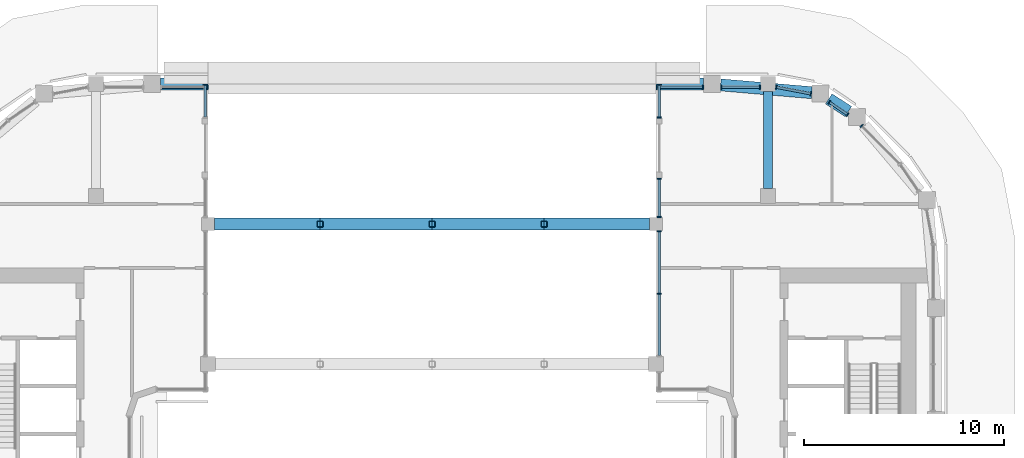
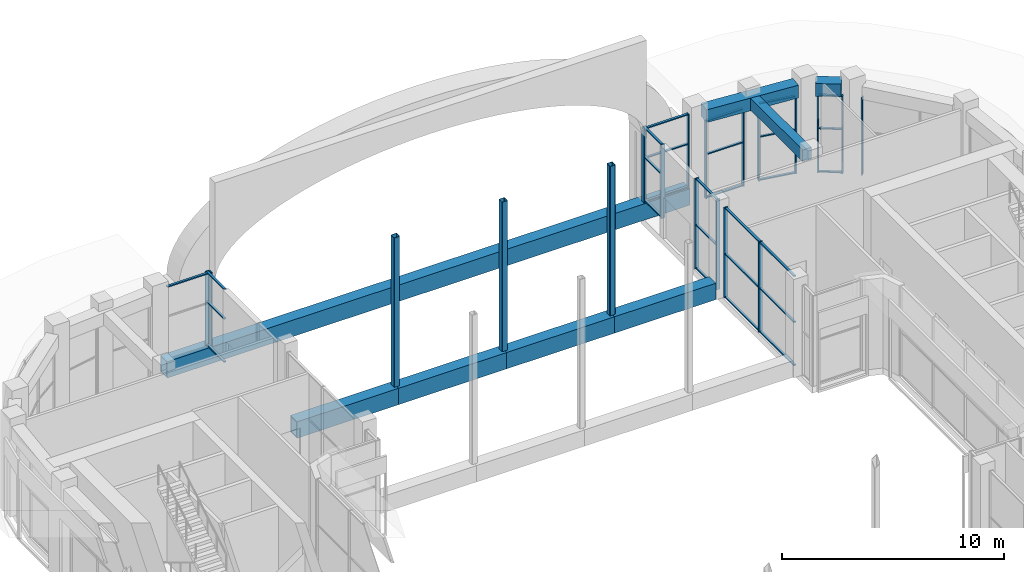
# One storey, part 9 of 26: 53 members, 3 beams, 10 elements without a shape of their own.
"""IFC4 building model written with IfcOpenShell, lengths in metres."""

from ifc_helpers import new_model, si_unit, direction, frame, origin, origin_2d, place, context, subcontext, project, spatial, rectangle, hollow_rectangle, extrude, material, layer, layer_set, material_profile, profile_set, type_object, element, aggregate, save


model = new_model("IFC4")

# Units and contexts
model_context = context("Model", 3, precision=1e-05, world=origin(), true_north=direction((0.0, 1.0)))
body_context = subcontext(model_context, "Body", "Model", "MODEL_VIEW")
ifc_project = project(units=[si_unit("LENGTHUNIT", "METRE"), si_unit("AREAUNIT", "SQUARE_METRE"), si_unit("VOLUMEUNIT", "CUBIC_METRE"), si_unit("PLANEANGLEUNIT", "RADIAN"), si_unit("MASSUNIT", "GRAM", prefix="KILO")], contexts=[model_context])

# Site, building, storey
site_placement = place(None, origin())
site = spatial("IfcSite", under=ifc_project, at=site_placement, CompositionType="ELEMENT")
building_placement = place(site_placement, origin())
building = spatial("IfcBuilding", under=site, at=building_placement, Name="Kiln Ring Residences", CompositionType="ELEMENT")
storey_placement = place(building_placement, frame((0.0, 0.0, 230.89990234375)))
storey = spatial("IfcBuildingStorey", under=building, at=storey_placement, Name="L60", CompositionType="ELEMENT", Elevation=230.89990234375)

# Members
ifc_material_1 = material(Name="Steel S460", Category="steel")
ifc_material_profile_1 = material_profile(ifc_material_1, hollow_rectangle(XDim=0.60009765625, YDim=0.89990234375, WallThickness=0.050048828125, at=origin_2d()), Name="BOX900x600x50")
ifc_profile_set_1 = profile_set([ifc_material_profile_1], Name="Steel S460")
member_type_1 = type_object("IfcMemberType", Name="Bridge truss chord BOX900x600x50 S460", PredefinedType="CHORD", material=ifc_profile_set_1)
member_1_placement = place(storey_placement, frame((-13.574951171875, 22.39990234375, 0.4501953125), z_axis=(1.0, 0.0, 0.0), x_axis=(0.0, 1.0, 0.0)))
element("IfcMember", 1, at=member_1_placement, inside=storey, type_object=member_type_1, Name="Bridge truss chord L60 10", PredefinedType="CHORD", context=body_context, shape_type="SweptSolid", body=[
    extrude(hollow_rectangle(XDim=0.60009765625, YDim=0.89990234375, WallThickness=0.050048828125, at=origin_2d()), origin(), (0.0, 0.0, 1.0), 27.14990234375),
])
member_2_placement = place(storey_placement, frame((-10.875, 15.39990234375, 0.4501953125), z_axis=(1.0, 0.0, 0.0), x_axis=(0.0, 1.0, 0.0)))
element("IfcMember", 2, at=member_2_placement, inside=storey, type_object=member_type_1, Name="Bridge truss chord L60 11", PredefinedType="CHORD", context=body_context, shape_type="SweptSolid", body=[
    extrude(hollow_rectangle(XDim=0.60009765625, YDim=0.89990234375, WallThickness=0.050048828125, at=origin_2d()), origin(), (0.0, 0.0, 1.0), 5.27490234375),
])
for number, where, z_axis, x_axis, name in (
    (3, (-5.60009765625, 15.39990234375, 0.4501953125), (1.0, 0.0, 0.0), (0.0, 1.0, 0.0), "Bridge truss chord L60 12"),
    (4, (0.0, 15.39990234375, 0.4501953125), (1.0, 0.0, 0.0), (0.0, 1.0, 0.0), "Bridge truss chord L60 13"),
):
    element("IfcMember", number, at=place(storey_placement, frame(where, z_axis=z_axis, x_axis=x_axis)), inside=storey, type_object=member_type_1, Name=name, PredefinedType="CHORD", context=body_context, shape_type="SweptSolid", body=[
        extrude(hollow_rectangle(XDim=0.60009765625, YDim=0.89990234375, WallThickness=0.050048828125, at=origin_2d()), origin(), (0.0, 0.0, 1.0), 5.60009765625),
    ])
member_3_placement = place(storey_placement, frame((5.60009765625, 15.39990234375, 0.4501953125), z_axis=(1.0, 0.0, 0.0), x_axis=(0.0, 1.0, 0.0)))
element("IfcMember", 5, at=member_3_placement, inside=storey, type_object=member_type_1, Name="Bridge truss chord L60 14", PredefinedType="CHORD", context=body_context, shape_type="SweptSolid", body=[
    extrude(hollow_rectangle(XDim=0.60009765625, YDim=0.89990234375, WallThickness=0.050048828125, at=origin_2d()), origin(), (0.0, 0.0, 1.0), 5.27490234375),
])
ifc_material_2 = material(Name="Steel S355", Category="steel")
ifc_material_profile_2 = material_profile(ifc_material_2, hollow_rectangle(XDim=0.300048828125, YDim=0.300048828125, WallThickness=0.01611328125, InnerFilletRadius=0.01611328125, OuterFilletRadius=0.0400390625, at=origin_2d()), Name="SHS300x300x16")
ifc_profile_set_2 = profile_set([ifc_material_profile_2], Name="Steel S355")
member_type_2 = type_object("IfcMemberType", Name="Bridge truss post SHS300x300x16 S355", PredefinedType="POST", material=ifc_profile_set_2)
for number, where, z_axis, x_axis, name in (
    (6, (-5.60009765625, 15.39990234375, 0.900146484375), (0.0, 0.0, 1.0), (1.0, 0.0, 0.0), "Bridge truss post L60 7"),
    (7, (0.0, 15.39990234375, 0.900146484375), (0.0, 0.0, 1.0), (1.0, 0.0, 0.0), "Bridge truss post L60 8"),
    (8, (5.60009765625, 15.39990234375, 0.900146484375), (0.0, 0.0, 1.0), (1.0, 0.0, 0.0), "Bridge truss post L60 9"),
):
    element("IfcMember", number, at=place(storey_placement, frame(where, z_axis=z_axis, x_axis=x_axis)), inside=storey, type_object=member_type_2, Name=name, PredefinedType="POST", context=body_context, shape_type="SweptSolid", body=[
        extrude(hollow_rectangle(XDim=0.300048828125, YDim=0.300048828125, WallThickness=0.01611328125, InnerFilletRadius=0.01611328125, OuterFilletRadius=0.0400390625, at=origin_2d()), origin(), (0.0, 0.0, 1.0), 8.199951171875),
    ])

# Curtain wall, member
ifc_material_3 = material(Name="Aluminium and glass", Category="aluminium")
ifc_layer = layer(ifc_material_3, 0.199951171875)
ifc_layer_set = layer_set([ifc_layer], Name="CW1 CURTAIN WALL")
curtain_wall_type = type_object("IfcCurtainWallType", Name="CW1 CURTAIN WALL", PredefinedType="NOTDEFINED", material=ifc_layer_set)
placement = place(storey_placement, origin())
curtain_wall_1 = element("IfcCurtainWall", 9, at=placement, inside=storey, type_object=curtain_wall_type, Name="Curtain wall CW1 L60", PredefinedType="NOTDEFINED")
ifc_material_4 = material(Name="Aluminium 6063-T6", Category="aluminium")
ifc_material_profile_3 = material_profile(ifc_material_4, rectangle(XDim=0.199951171875, YDim=0.06005859375, at=origin_2d()), Name="AL 200x60")
ifc_profile_set_3 = profile_set([ifc_material_profile_3], Name="Aluminium 6063-T6")
member_type_3 = type_object("IfcMemberType", Name="CW1 MULLION 200 x 60", PredefinedType="MULLION", material=ifc_profile_set_3)
member_4_placement = place(storey_placement, frame((-11.35009765625, 22.3701171875, 0.900146484375), z_axis=(0.0, 0.0, 1.0), x_axis=(-1.0, 0.0, 0.0)))
member_4 = element("IfcMember", 10, at=member_4_placement, type_object=member_type_3, Name="CW1 mullion 2", PredefinedType="MULLION", context=body_context, shape_type="SweptSolid", body=[
    extrude(rectangle(XDim=0.199951171875, YDim=0.06005859375, at=origin_2d()), origin(), (0.0, 0.0, 1.0), 4.050048828125),
])

curtain_wall_2 = element("IfcCurtainWall", 11, at=placement, inside=storey, type_object=curtain_wall_type, Name="Curtain wall CW1 L60", PredefinedType="NOTDEFINED")
member_5_placement = place(storey_placement, frame((-11.22998046875, 22.25, 0.900146484375), z_axis=(0.0, 0.0, 1.0), x_axis=(0.0, -1.0, 0.0)))
member_5 = element("IfcMember", 12, at=member_5_placement, type_object=member_type_3, Name="CW1 mullion 1", PredefinedType="MULLION", context=body_context, shape_type="SweptSolid", body=[
    extrude(rectangle(XDim=0.199951171875, YDim=0.06005859375, at=origin_2d()), origin(), (0.0, 0.0, 1.0), 4.050048828125),
])

curtain_wall_3 = element("IfcCurtainWall", 13, at=placement, inside=storey, type_object=curtain_wall_type, Name="Curtain wall CW1 L60", PredefinedType="NOTDEFINED")
member_6_placement = place(storey_placement, frame((21.474365234375, 20.3134765625, 0.0), z_axis=(0.0, 0.0, 1.0), x_axis=(-0.707106781187, -0.707106781187, 0.0)))
member_6 = element("IfcMember", 14, at=member_6_placement, type_object=member_type_3, Name="CW1 mullion 2", PredefinedType="MULLION", context=body_context, shape_type="SweptSolid", body=[
    extrude(rectangle(XDim=0.199951171875, YDim=0.06005859375, at=origin_2d()), origin(), (0.0, 0.0, 1.0), 4.25),
])
aggregate(curtain_wall_3, [member_6])

# Curtain wall, members
curtain_wall_4 = element("IfcCurtainWall", 15, at=placement, inside=storey, type_object=curtain_wall_type, Name="Curtain wall CW1 L60", PredefinedType="NOTDEFINED")
member_7_placement = place(storey_placement, frame((20.77099609375, 20.879150390625, 0.0), z_axis=(0.0, 0.0, 1.0), x_axis=(-0.562096650745, -0.82707155387, 0.0)))
member_7 = element("IfcMember", 16, at=member_7_placement, type_object=member_type_3, Name="CW1 mullion 1", PredefinedType="MULLION", context=body_context, shape_type="SweptSolid", body=[
    extrude(rectangle(XDim=0.199951171875, YDim=0.06005859375, at=origin_2d()), origin(), (0.0, 0.0, 1.0), 4.25),
])
member_8_placement = place(storey_placement, frame((19.8583984375, 21.499267578125, 0.0), z_axis=(0.0, 0.0, 1.0), x_axis=(-0.562096650745, -0.82707155387, 0.0)))
member_8 = element("IfcMember", 17, at=member_8_placement, type_object=member_type_3, Name="CW1 mullion 2", PredefinedType="MULLION", context=body_context, shape_type="SweptSolid", body=[
    extrude(rectangle(XDim=0.199951171875, YDim=0.06005859375, at=origin_2d()), origin(), (0.0, 0.0, 1.0), 4.25),
])

curtain_wall_5 = element("IfcCurtainWall", 18, at=placement, inside=storey, type_object=curtain_wall_type, Name="Curtain wall CW1 L60", PredefinedType="NOTDEFINED")
member_9_placement = place(storey_placement, frame((18.941162109375, 21.915283203125, 0.0), z_axis=(0.0, 0.0, 1.0), x_axis=(-0.18736555009, -0.982290257836, 0.0)))
member_9 = element("IfcMember", 19, at=member_9_placement, type_object=member_type_3, Name="CW1 mullion 1", PredefinedType="MULLION", context=body_context, shape_type="SweptSolid", body=[
    extrude(rectangle(XDim=0.199951171875, YDim=0.06005859375, at=origin_2d()), origin(), (0.0, 0.0, 1.0), 4.25),
])
member_10_placement = place(storey_placement, frame((17.20458984375, 22.246337890625, 0.0), z_axis=(0.0, 0.0, 1.0), x_axis=(-0.18736555009, -0.982290257836, 0.0)))
member_10 = element("IfcMember", 20, at=member_10_placement, type_object=member_type_3, Name="CW1 mullion 2", PredefinedType="MULLION", context=body_context, shape_type="SweptSolid", body=[
    extrude(rectangle(XDim=0.199951171875, YDim=0.06005859375, at=origin_2d()), origin(), (0.0, 0.0, 1.0), 4.25),
])

curtain_wall_6 = element("IfcCurtainWall", 21, at=placement, inside=storey, type_object=curtain_wall_type, Name="Curtain wall CW1 L60", PredefinedType="NOTDEFINED")
member_11_placement = place(storey_placement, frame((16.39501953125, 22.25, 0.0), z_axis=(0.0, 0.0, 1.0), x_axis=(0.0, -1.0, 0.0)))
member_11 = element("IfcMember", 22, at=member_11_placement, type_object=member_type_3, Name="CW1 mullion 1", PredefinedType="MULLION", context=body_context, shape_type="SweptSolid", body=[
    extrude(rectangle(XDim=0.199951171875, YDim=0.06005859375, at=origin_2d()), origin(), (0.0, 0.0, 1.0), 4.25),
])
member_12_placement = place(storey_placement, frame((14.455078125, 22.25, 0.0), z_axis=(0.0, 0.0, 1.0), x_axis=(0.0, -1.0, 0.0)))
member_12 = element("IfcMember", 23, at=member_12_placement, type_object=member_type_3, Name="CW1 mullion 2", PredefinedType="MULLION", context=body_context, shape_type="SweptSolid", body=[
    extrude(rectangle(XDim=0.199951171875, YDim=0.06005859375, at=origin_2d()), origin(), (0.0, 0.0, 1.0), 4.25),
])

curtain_wall_7 = element("IfcCurtainWall", 24, at=placement, inside=storey, type_object=curtain_wall_type, Name="Curtain wall CW1 L60", PredefinedType="NOTDEFINED")
member_13_placement = place(storey_placement, frame((13.544921875, 22.25, 0.900146484375), z_axis=(0.0, 0.0, 1.0), x_axis=(0.0, -1.0, 0.0)))
member_13 = element("IfcMember", 25, at=member_13_placement, type_object=member_type_3, Name="CW1 mullion 1", PredefinedType="MULLION", context=body_context, shape_type="SweptSolid", body=[
    extrude(rectangle(XDim=0.199951171875, YDim=0.06005859375, at=origin_2d()), origin(), (0.0, 0.0, 1.0), 4.050048828125),
])
member_14_placement = place(storey_placement, frame((11.22998046875, 22.25, 0.900146484375), z_axis=(0.0, 0.0, 1.0), x_axis=(0.0, -1.0, 0.0)))
member_14 = element("IfcMember", 26, at=member_14_placement, type_object=member_type_3, Name="CW1 mullion 2", PredefinedType="MULLION", context=body_context, shape_type="SweptSolid", body=[
    extrude(rectangle(XDim=0.199951171875, YDim=0.06005859375, at=origin_2d()), origin(), (0.0, 0.0, 1.0), 4.050048828125),
])

curtain_wall_8 = element("IfcCurtainWall", 27, at=placement, inside=storey, type_object=curtain_wall_type, Name="Curtain wall CW1 L60", PredefinedType="NOTDEFINED")
member_15_placement = place(storey_placement, frame((11.35009765625, 22.3701171875, 0.900146484375), z_axis=(0.0, 0.0, 1.0), x_axis=(1.0, 0.0, 0.0)))
member_15 = element("IfcMember", 28, at=member_15_placement, type_object=member_type_3, Name="CW1 mullion 1", PredefinedType="MULLION", context=body_context, shape_type="SweptSolid", body=[
    extrude(rectangle(XDim=0.199951171875, YDim=0.06005859375, at=origin_2d()), origin(), (0.0, 0.0, 1.0), 4.050048828125),
])
member_16_placement = place(storey_placement, frame((11.35009765625, 20.72998046875, 0.900146484375), z_axis=(0.0, 0.0, 1.0), x_axis=(1.0, 0.0, 0.0)))
member_16 = element("IfcMember", 29, at=member_16_placement, type_object=member_type_3, Name="CW1 mullion 2", PredefinedType="MULLION", context=body_context, shape_type="SweptSolid", body=[
    extrude(rectangle(XDim=0.199951171875, YDim=0.06005859375, at=origin_2d()), origin(), (0.0, 0.0, 1.0), 4.050048828125),
])

curtain_wall_9 = element("IfcCurtainWall", 30, at=placement, inside=storey, type_object=curtain_wall_type, Name="Curtain wall CW1 L60", PredefinedType="NOTDEFINED")
member_17_placement = place(storey_placement, frame((11.35009765625, 17.669921875, 0.0), z_axis=(0.0, 0.0, 1.0), x_axis=(1.0, 0.0, 0.0)))
member_17 = element("IfcMember", 31, at=member_17_placement, type_object=member_type_3, Name="CW1 mullion 1", PredefinedType="MULLION", context=body_context, shape_type="SweptSolid", body=[
    extrude(rectangle(XDim=0.199951171875, YDim=0.06005859375, at=origin_2d()), origin(), (0.0, 0.0, 1.0), 4.9501953125),
])
member_18_placement = place(storey_placement, frame((11.35009765625, 15.7548828125, 0.0), z_axis=(0.0, 0.0, 1.0), x_axis=(1.0, 0.0, 0.0)))
member_18 = element("IfcMember", 32, at=member_18_placement, type_object=member_type_3, Name="CW1 mullion 2", PredefinedType="MULLION", context=body_context, shape_type="SweptSolid", body=[
    extrude(rectangle(XDim=0.199951171875, YDim=0.06005859375, at=origin_2d()), origin(), (0.0, 0.0, 1.0), 4.9501953125),
])

curtain_wall_10 = element("IfcCurtainWall", 33, at=placement, inside=storey, type_object=curtain_wall_type, Name="Curtain wall CW1 L60", PredefinedType="NOTDEFINED")
member_19_placement = place(storey_placement, frame((11.35009765625, 15.044921875, 0.0), z_axis=(0.0, 0.0, 1.0), x_axis=(1.0, 0.0, 0.0)))
member_19 = element("IfcMember", 34, at=member_19_placement, type_object=member_type_3, Name="CW1 mullion 1", PredefinedType="MULLION", context=body_context, shape_type="SweptSolid", body=[
    extrude(rectangle(XDim=0.199951171875, YDim=0.06005859375, at=origin_2d()), origin(), (0.0, 0.0, 1.0), 4.9501953125),
])
member_20_placement = place(storey_placement, frame((11.35009765625, 11.925048828125, 0.0), z_axis=(0.0, 0.0, 1.0), x_axis=(1.0, 0.0, 0.0)))
member_20 = element("IfcMember", 35, at=member_20_placement, type_object=member_type_3, Name="CW1 mullion 2", PredefinedType="MULLION", context=body_context, shape_type="SweptSolid", body=[
    extrude(rectangle(XDim=0.199951171875, YDim=0.06005859375, at=origin_2d()), origin(), (0.0, 0.0, 1.0), 4.9501953125),
])

# Member
ifc_material_5 = material(Name="Aluminium 6063-T6", Category="aluminium")
ifc_material_profile_4 = material_profile(ifc_material_5, rectangle(XDim=0.1201171875, YDim=0.06005859375, at=origin_2d()), Name="AL 120x60")
ifc_profile_set_4 = profile_set([ifc_material_profile_4], Name="Aluminium 6063-T6")
member_type_4 = type_object("IfcMemberType", Name="CW1 TRANSOM 120 x 60", PredefinedType="USERDEFINED", material=ifc_profile_set_4)
member_21_placement = place(storey_placement, frame((-11.35009765625, 20.760009765625, 0.93017578125), z_axis=(0.0, 1.0, 0.0), x_axis=(-1.0, 0.0, 0.0)))
member_21 = element("IfcMember", 36, at=member_21_placement, type_object=member_type_4, Name="CW1 transom 1.1", ObjectType="TRANSOM", PredefinedType="USERDEFINED", context=body_context, shape_type="SweptSolid", body=[
    extrude(rectangle(XDim=0.1201171875, YDim=0.06005859375, at=origin_2d()), origin(), (0.0, 0.0, 1.0), 1.580078125),
])

member_22_placement = place(storey_placement, frame((-11.35009765625, 20.760009765625, 3.300048828125), z_axis=(0.0, 1.0, 0.0), x_axis=(-1.0, 0.0, 0.0)))
member_22 = element("IfcMember", 37, at=member_22_placement, type_object=member_type_4, Name="CW1 transom 1.2", ObjectType="TRANSOM", PredefinedType="USERDEFINED", context=body_context, shape_type="SweptSolid", body=[
    extrude(rectangle(XDim=0.1201171875, YDim=0.06005859375, at=origin_2d()), origin(), (0.0, 0.0, 1.0), 1.580078125),
])

member_23_placement = place(storey_placement, frame((-11.35009765625, 20.760009765625, 4.920166015625), z_axis=(0.0, 1.0, 0.0), x_axis=(-1.0, 0.0, 0.0)))
member_23 = element("IfcMember", 38, at=member_23_placement, type_object=member_type_4, Name="CW1 transom 1.3", ObjectType="TRANSOM", PredefinedType="USERDEFINED", context=body_context, shape_type="SweptSolid", body=[
    extrude(rectangle(XDim=0.1201171875, YDim=0.06005859375, at=origin_2d()), origin(), (0.0, 0.0, 1.0), 1.580078125),
])

aggregate(curtain_wall_1, [member_4, member_21, member_22, member_23])

member_24_placement = place(storey_placement, frame((-11.260009765625, 22.25, 4.920166015625), z_axis=(-1.0, 0.0, 0.0), x_axis=(0.0, -1.0, 0.0)))
member_24 = element("IfcMember", 39, at=member_24_placement, type_object=member_type_4, Name="CW1 transom 1.3", ObjectType="TRANSOM", PredefinedType="USERDEFINED", context=body_context, shape_type="SweptSolid", body=[
    extrude(rectangle(XDim=0.1201171875, YDim=0.06005859375, at=origin_2d()), origin(), (0.0, 0.0, 1.0), 2.2548828125),
])

aggregate(curtain_wall_2, [member_5, member_24])

member_25_placement = place(storey_placement, frame((20.746337890625, 20.89599609375, 0.030029296875), z_axis=(-0.827122289279, 0.562021991187, 0.0), x_axis=(-0.562021991187, -0.827122289279, 0.0)))
member_25 = element("IfcMember", 40, at=member_25_placement, type_object=member_type_4, Name="CW1 transom 1.1", ObjectType="TRANSOM", PredefinedType="USERDEFINED", context=body_context, shape_type="SweptSolid", body=[
    extrude(rectangle(XDim=0.1201171875, YDim=0.06005859375, at=origin_2d()), origin(), (0.0, 0.0, 1.0), 1.04345703125),
])

member_26_placement = place(storey_placement, frame((20.746337890625, 20.89599609375, 2.400146484375), z_axis=(-0.827122289279, 0.562021991187, 0.0), x_axis=(-0.562021991187, -0.827122289279, 0.0)))
member_26 = element("IfcMember", 41, at=member_26_placement, type_object=member_type_4, Name="CW1 transom 1.2", ObjectType="TRANSOM", PredefinedType="USERDEFINED", context=body_context, shape_type="SweptSolid", body=[
    extrude(rectangle(XDim=0.1201171875, YDim=0.06005859375, at=origin_2d()), origin(), (0.0, 0.0, 1.0), 1.04345703125),
])

member_27_placement = place(storey_placement, frame((20.746337890625, 20.89599609375, 4.22021484375), z_axis=(-0.827122289279, 0.562021991187, 0.0), x_axis=(-0.562021991187, -0.827122289279, 0.0)))
member_27 = element("IfcMember", 42, at=member_27_placement, type_object=member_type_4, Name="CW1 transom 1.3", ObjectType="TRANSOM", PredefinedType="USERDEFINED", context=body_context, shape_type="SweptSolid", body=[
    extrude(rectangle(XDim=0.1201171875, YDim=0.06005859375, at=origin_2d()), origin(), (0.0, 0.0, 1.0), 1.04345703125),
])

aggregate(curtain_wall_4, [member_7, member_8, member_25, member_26, member_27])

member_28_placement = place(storey_placement, frame((18.91162109375, 21.9208984375, 0.030029296875), z_axis=(-0.982311030476, 0.187256613784, 0.0), x_axis=(-0.187256613784, -0.982311030476, 0.0)))
member_28 = element("IfcMember", 43, at=member_28_placement, type_object=member_type_4, Name="CW1 transom 1.1", ObjectType="TRANSOM", PredefinedType="USERDEFINED", context=body_context, shape_type="SweptSolid", body=[
    extrude(rectangle(XDim=0.1201171875, YDim=0.06005859375, at=origin_2d()), origin(), (0.0, 0.0, 1.0), 1.7080078125),
])

member_29_placement = place(storey_placement, frame((18.91162109375, 21.9208984375, 2.400146484375), z_axis=(-0.982311030476, 0.187256613784, 0.0), x_axis=(-0.187256613784, -0.982311030476, 0.0)))
member_29 = element("IfcMember", 44, at=member_29_placement, type_object=member_type_4, Name="CW1 transom 1.2", ObjectType="TRANSOM", PredefinedType="USERDEFINED", context=body_context, shape_type="SweptSolid", body=[
    extrude(rectangle(XDim=0.1201171875, YDim=0.06005859375, at=origin_2d()), origin(), (0.0, 0.0, 1.0), 1.7080078125),
])

member_30_placement = place(storey_placement, frame((18.91162109375, 21.9208984375, 4.22021484375), z_axis=(-0.982311030476, 0.187256613784, 0.0), x_axis=(-0.187256613784, -0.982311030476, 0.0)))
member_30 = element("IfcMember", 45, at=member_30_placement, type_object=member_type_4, Name="CW1 transom 1.3", ObjectType="TRANSOM", PredefinedType="USERDEFINED", context=body_context, shape_type="SweptSolid", body=[
    extrude(rectangle(XDim=0.1201171875, YDim=0.06005859375, at=origin_2d()), origin(), (0.0, 0.0, 1.0), 1.7080078125),
])

aggregate(curtain_wall_5, [member_9, member_10, member_28, member_29, member_30])

member_31_placement = place(storey_placement, frame((16.364990234375, 22.25, 0.030029296875), z_axis=(-1.0, 0.0, 0.0), x_axis=(0.0, -1.0, 0.0)))
member_31 = element("IfcMember", 46, at=member_31_placement, type_object=member_type_4, Name="CW1 transom 1.1", ObjectType="TRANSOM", PredefinedType="USERDEFINED", context=body_context, shape_type="SweptSolid", body=[
    extrude(rectangle(XDim=0.1201171875, YDim=0.06005859375, at=origin_2d()), origin(), (0.0, 0.0, 1.0), 1.8798828125),
])

member_32_placement = place(storey_placement, frame((16.364990234375, 22.25, 2.400146484375), z_axis=(-1.0, 0.0, 0.0), x_axis=(0.0, -1.0, 0.0)))
member_32 = element("IfcMember", 47, at=member_32_placement, type_object=member_type_4, Name="CW1 transom 1.2", ObjectType="TRANSOM", PredefinedType="USERDEFINED", context=body_context, shape_type="SweptSolid", body=[
    extrude(rectangle(XDim=0.1201171875, YDim=0.06005859375, at=origin_2d()), origin(), (0.0, 0.0, 1.0), 1.8798828125),
])

member_33_placement = place(storey_placement, frame((16.364990234375, 22.25, 4.22021484375), z_axis=(-1.0, 0.0, 0.0), x_axis=(0.0, -1.0, 0.0)))
member_33 = element("IfcMember", 48, at=member_33_placement, type_object=member_type_4, Name="CW1 transom 1.3", ObjectType="TRANSOM", PredefinedType="USERDEFINED", context=body_context, shape_type="SweptSolid", body=[
    extrude(rectangle(XDim=0.1201171875, YDim=0.06005859375, at=origin_2d()), origin(), (0.0, 0.0, 1.0), 1.8798828125),
])

aggregate(curtain_wall_6, [member_11, member_12, member_31, member_32, member_33])

member_34_placement = place(storey_placement, frame((13.514892578125, 22.25, 0.93017578125), z_axis=(-1.0, 0.0, 0.0), x_axis=(0.0, -1.0, 0.0)))
member_34 = element("IfcMember", 49, at=member_34_placement, type_object=member_type_4, Name="CW1 transom 1.1", ObjectType="TRANSOM", PredefinedType="USERDEFINED", context=body_context, shape_type="SweptSolid", body=[
    extrude(rectangle(XDim=0.1201171875, YDim=0.06005859375, at=origin_2d()), origin(), (0.0, 0.0, 1.0), 2.2548828125),
])

member_35_placement = place(storey_placement, frame((13.514892578125, 22.25, 3.300048828125), z_axis=(-1.0, 0.0, 0.0), x_axis=(0.0, -1.0, 0.0)))
member_35 = element("IfcMember", 50, at=member_35_placement, type_object=member_type_4, Name="CW1 transom 1.2", ObjectType="TRANSOM", PredefinedType="USERDEFINED", context=body_context, shape_type="SweptSolid", body=[
    extrude(rectangle(XDim=0.1201171875, YDim=0.06005859375, at=origin_2d()), origin(), (0.0, 0.0, 1.0), 2.2548828125),
])

member_36_placement = place(storey_placement, frame((13.514892578125, 22.25, 4.920166015625), z_axis=(-1.0, 0.0, 0.0), x_axis=(0.0, -1.0, 0.0)))
member_36 = element("IfcMember", 51, at=member_36_placement, type_object=member_type_4, Name="CW1 transom 1.3", ObjectType="TRANSOM", PredefinedType="USERDEFINED", context=body_context, shape_type="SweptSolid", body=[
    extrude(rectangle(XDim=0.1201171875, YDim=0.06005859375, at=origin_2d()), origin(), (0.0, 0.0, 1.0), 2.2548828125),
])

aggregate(curtain_wall_7, [member_13, member_14, member_34, member_35, member_36])

member_37_placement = place(storey_placement, frame((11.35009765625, 22.340087890625, 0.93017578125), z_axis=(0.0, -1.0, 0.0), x_axis=(1.0, 0.0, 0.0)))
member_37 = element("IfcMember", 52, at=member_37_placement, type_object=member_type_4, Name="CW1 transom 1.1", ObjectType="TRANSOM", PredefinedType="USERDEFINED", context=body_context, shape_type="SweptSolid", body=[
    extrude(rectangle(XDim=0.1201171875, YDim=0.06005859375, at=origin_2d()), origin(), (0.0, 0.0, 1.0), 1.580078125),
])

member_38_placement = place(storey_placement, frame((11.35009765625, 22.340087890625, 3.300048828125), z_axis=(0.0, -1.0, 0.0), x_axis=(1.0, 0.0, 0.0)))
member_38 = element("IfcMember", 53, at=member_38_placement, type_object=member_type_4, Name="CW1 transom 1.2", ObjectType="TRANSOM", PredefinedType="USERDEFINED", context=body_context, shape_type="SweptSolid", body=[
    extrude(rectangle(XDim=0.1201171875, YDim=0.06005859375, at=origin_2d()), origin(), (0.0, 0.0, 1.0), 1.580078125),
])

member_39_placement = place(storey_placement, frame((11.35009765625, 22.340087890625, 4.920166015625), z_axis=(0.0, -1.0, 0.0), x_axis=(1.0, 0.0, 0.0)))
member_39 = element("IfcMember", 54, at=member_39_placement, type_object=member_type_4, Name="CW1 transom 1.3", ObjectType="TRANSOM", PredefinedType="USERDEFINED", context=body_context, shape_type="SweptSolid", body=[
    extrude(rectangle(XDim=0.1201171875, YDim=0.06005859375, at=origin_2d()), origin(), (0.0, 0.0, 1.0), 1.580078125),
])

aggregate(curtain_wall_8, [member_15, member_16, member_37, member_38, member_39])

member_40_placement = place(storey_placement, frame((11.35009765625, 17.639892578125, 0.030029296875), z_axis=(0.0, -1.0, 0.0), x_axis=(1.0, 0.0, 0.0)))
member_40 = element("IfcMember", 55, at=member_40_placement, type_object=member_type_4, Name="CW1 transom 1.1", ObjectType="TRANSOM", PredefinedType="USERDEFINED", context=body_context, shape_type="SweptSolid", body=[
    extrude(rectangle(XDim=0.1201171875, YDim=0.06005859375, at=origin_2d()), origin(), (0.0, 0.0, 1.0), 1.85498046875),
])

member_41_placement = place(storey_placement, frame((11.35009765625, 17.639892578125, 2.400146484375), z_axis=(0.0, -1.0, 0.0), x_axis=(1.0, 0.0, 0.0)))
member_41 = element("IfcMember", 56, at=member_41_placement, type_object=member_type_4, Name="CW1 transom 1.2", ObjectType="TRANSOM", PredefinedType="USERDEFINED", context=body_context, shape_type="SweptSolid", body=[
    extrude(rectangle(XDim=0.1201171875, YDim=0.06005859375, at=origin_2d()), origin(), (0.0, 0.0, 1.0), 1.85498046875),
])

member_42_placement = place(storey_placement, frame((11.35009765625, 17.639892578125, 4.920166015625), z_axis=(0.0, -1.0, 0.0), x_axis=(1.0, 0.0, 0.0)))
member_42 = element("IfcMember", 57, at=member_42_placement, type_object=member_type_4, Name="CW1 transom 1.3", ObjectType="TRANSOM", PredefinedType="USERDEFINED", context=body_context, shape_type="SweptSolid", body=[
    extrude(rectangle(XDim=0.1201171875, YDim=0.06005859375, at=origin_2d()), origin(), (0.0, 0.0, 1.0), 1.85498046875),
])

aggregate(curtain_wall_9, [member_17, member_18, member_40, member_41, member_42])

member_43_placement = place(storey_placement, frame((11.35009765625, 15.014892578125, 0.030029296875), z_axis=(0.0, -1.0, 0.0), x_axis=(1.0, 0.0, 0.0)))
member_43 = element("IfcMember", 58, at=member_43_placement, type_object=member_type_4, Name="CW1 transom 1.1", ObjectType="TRANSOM", PredefinedType="USERDEFINED", context=body_context, shape_type="SweptSolid", body=[
    extrude(rectangle(XDim=0.1201171875, YDim=0.06005859375, at=origin_2d()), origin(), (0.0, 0.0, 1.0), 3.059814453125),
])

member_44_placement = place(storey_placement, frame((11.35009765625, 15.014892578125, 2.400146484375), z_axis=(0.0, -1.0, 0.0), x_axis=(1.0, 0.0, 0.0)))
member_44 = element("IfcMember", 59, at=member_44_placement, type_object=member_type_4, Name="CW1 transom 1.2", ObjectType="TRANSOM", PredefinedType="USERDEFINED", context=body_context, shape_type="SweptSolid", body=[
    extrude(rectangle(XDim=0.1201171875, YDim=0.06005859375, at=origin_2d()), origin(), (0.0, 0.0, 1.0), 3.059814453125),
])

member_45_placement = place(storey_placement, frame((11.35009765625, 15.014892578125, 4.920166015625), z_axis=(0.0, -1.0, 0.0), x_axis=(1.0, 0.0, 0.0)))
member_45 = element("IfcMember", 60, at=member_45_placement, type_object=member_type_4, Name="CW1 transom 1.3", ObjectType="TRANSOM", PredefinedType="USERDEFINED", context=body_context, shape_type="SweptSolid", body=[
    extrude(rectangle(XDim=0.1201171875, YDim=0.06005859375, at=origin_2d()), origin(), (0.0, 0.0, 1.0), 3.059814453125),
])

member_46_placement = place(storey_placement, frame((11.35009765625, 11.89501953125, 0.030029296875), z_axis=(0.0, -1.0, 0.0), x_axis=(1.0, 0.0, 0.0)))
member_46 = element("IfcMember", 61, at=member_46_placement, type_object=member_type_4, Name="CW1 transom 2.1", ObjectType="TRANSOM", PredefinedType="USERDEFINED", context=body_context, shape_type="SweptSolid", body=[
    extrude(rectangle(XDim=0.1201171875, YDim=0.06005859375, at=origin_2d()), origin(), (0.0, 0.0, 1.0), 3.06005859375),
])

member_47_placement = place(storey_placement, frame((11.35009765625, 11.89501953125, 2.400146484375), z_axis=(0.0, -1.0, 0.0), x_axis=(1.0, 0.0, 0.0)))
member_47 = element("IfcMember", 62, at=member_47_placement, type_object=member_type_4, Name="CW1 transom 2.2", ObjectType="TRANSOM", PredefinedType="USERDEFINED", context=body_context, shape_type="SweptSolid", body=[
    extrude(rectangle(XDim=0.1201171875, YDim=0.06005859375, at=origin_2d()), origin(), (0.0, 0.0, 1.0), 3.06005859375),
])

member_48_placement = place(storey_placement, frame((11.35009765625, 11.89501953125, 4.920166015625), z_axis=(0.0, -1.0, 0.0), x_axis=(1.0, 0.0, 0.0)))
member_48 = element("IfcMember", 63, at=member_48_placement, type_object=member_type_4, Name="CW1 transom 2.3", ObjectType="TRANSOM", PredefinedType="USERDEFINED", context=body_context, shape_type="SweptSolid", body=[
    extrude(rectangle(XDim=0.1201171875, YDim=0.06005859375, at=origin_2d()), origin(), (0.0, 0.0, 1.0), 3.06005859375),
])

aggregate(curtain_wall_10, [member_19, member_20, member_43, member_44, member_45, member_46, member_47, member_48])

# Beams
ifc_material_6 = material(Name="Concrete C50/60", Category="concrete")
ifc_material_profile_5 = material_profile(ifc_material_6, rectangle(XDim=0.449951171875, YDim=0.64990234375, at=origin_2d()), Name="RC450x650")
ifc_profile_set_5 = profile_set([ifc_material_profile_5], Name="Concrete C50/60")
beam_type_1 = type_object("IfcBeamType", Name="Ring beam RC450x650 C50/60", PredefinedType="BEAM", material=ifc_profile_set_5)
beam_1_placement = place(storey_placement, frame((16.800048828125, 17.175048828125, 4.625), z_axis=(0.0, 1.0, 0.0), x_axis=(-1.0, 0.0, 0.0)))
element("IfcBeam", 64, at=beam_1_placement, inside=storey, type_object=beam_type_1, Name="Ring beam L60 4", PredefinedType="BEAM", context=body_context, shape_type="SweptSolid", body=[
    extrude(rectangle(XDim=0.449951171875, YDim=0.64990234375, at=origin_2d()), origin(), (0.0, 0.0, 1.0), 4.849853515625),
])
ifc_material_7 = material(Name="Concrete C50/60", Category="concrete")
ifc_material_profile_6 = material_profile(ifc_material_7, rectangle(XDim=0.60009765625, YDim=0.699951171875, at=origin_2d()), Name="RC600x700")
ifc_profile_set_6 = profile_set([ifc_material_profile_6], Name="Concrete C50/60")
beam_type_2 = type_object("IfcBeamType", Name="Spandrel beam RC600x700 C50/60", PredefinedType="SPANDREL", material=ifc_profile_set_6)
beam_2_placement = place(storey_placement, frame((20.815185546875, 21.033203125, 4.60009765625), z_axis=(-0.840920108806, 0.54115928395, 0.0), x_axis=(-0.54115928395, -0.840920108806, 0.0)))
element("IfcBeam", 65, at=beam_2_placement, inside=storey, type_object=beam_type_2, Name="Spandrel beam L60 12", PredefinedType="SPANDREL", context=body_context, shape_type="SweptSolid", body=[
    extrude(rectangle(XDim=0.60009765625, YDim=0.699951171875, at=origin_2d()), origin(), (0.0, 0.0, 1.0), 1.1669921875),
])
beam_3_placement = place(storey_placement, frame((18.983642578125, 21.974365234375, 4.60009765625), z_axis=(-0.996371385312, 0.085112058675, 0.0), x_axis=(-0.085112058675, -0.996371385312, 0.0)))
element("IfcBeam", 66, at=beam_3_placement, inside=storey, type_object=beam_type_2, Name="Spandrel beam L60 13", PredefinedType="SPANDREL", context=body_context, shape_type="SweptSolid", body=[
    extrude(rectangle(XDim=0.60009765625, YDim=0.699951171875, at=origin_2d()), origin(), (0.0, 0.0, 1.0), 4.5751953125),
])

save(model, "model.ifc")
